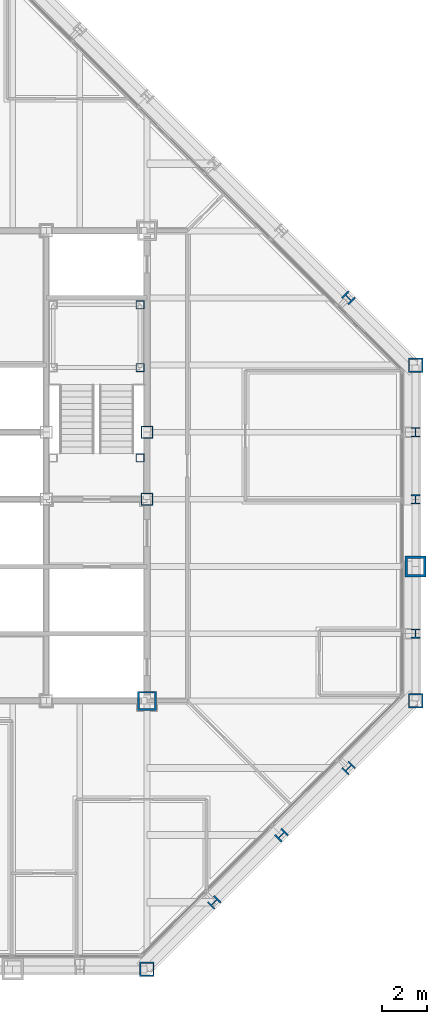
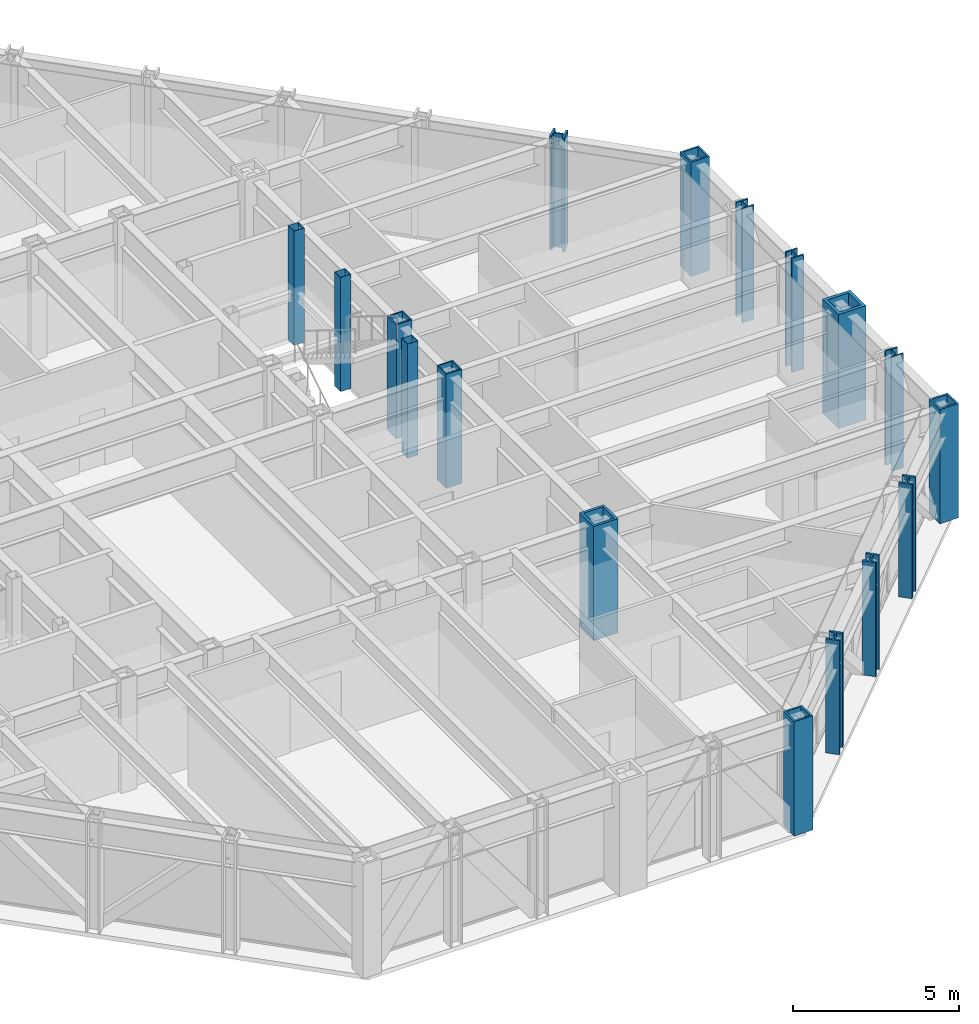
# One storey, part 3 of 16: 17 columns.
"""IFC4 building model written with IfcOpenShell, lengths in metres."""

from ifc_helpers import new_model, si_unit, direction, frame, origin, origin_2d, place, context, subcontext, project, spatial, hollow_rectangle, i_section, extrude, material, material_profile, profile_set, type_object, element, save


model = new_model("IFC4")

# Units and contexts
model_context = context("Model", 3, precision=1e-05, world=origin(), true_north=direction((0.0, 1.0)))
body_context = subcontext(model_context, "Body", "Model", "MODEL_VIEW")
ifc_project = project(units=[si_unit("LENGTHUNIT", "METRE"), si_unit("AREAUNIT", "SQUARE_METRE"), si_unit("VOLUMEUNIT", "CUBIC_METRE"), si_unit("PLANEANGLEUNIT", "RADIAN"), si_unit("MASSUNIT", "GRAM", prefix="KILO")], contexts=[model_context])

# Site, building, storey
site_placement = place(None, origin())
site = spatial("IfcSite", under=ifc_project, at=site_placement, CompositionType="ELEMENT")
building_placement = place(site_placement, origin())
building = spatial("IfcBuilding", under=site, at=building_placement, Name="Chuquiago Exchange Tower", CompositionType="ELEMENT")
storey_placement = place(building_placement, frame((0.0, 0.0, 239.10009765625)))
storey = spatial("IfcBuildingStorey", under=building, at=storey_placement, Name="L53", CompositionType="ELEMENT", Elevation=239.10009765625)

# Columns
ifc_material_1 = material(Name="Steel ASTM A992", Category="steel")
ifc_material_profile_1 = material_profile(ifc_material_1, i_section(OverallWidth=0.408935546875, OverallDepth=0.424072265625, WebThickness=0.03271484375, FlangeThickness=0.052490234375, at=origin_2d()), Name="W14X283")
ifc_profile_set_1 = profile_set([ifc_material_profile_1], Name="Steel ASTM A992")
column_type_1 = type_object("IfcColumnType", Name="C8 W14X283", PredefinedType="COLUMN", material=ifc_profile_set_1)
for number, where, z_axis, x_axis, name in (
    (1, (45.0, 15.0, 0.0), (0.0, 0.0, 1.0), (1.0, 0.0, 0.0), "COL-L53-45_15"),
    (2, (45.0, 21.0, 0.0), (0.0, 0.0, 1.0), (1.0, 0.0, 0.0), "COL-L53-45_21"),
    (3, (45.0, 24.0, 0.0), (0.0, 0.0, 1.0), (1.0, 0.0, 0.0), "COL-L53-45_24"),
):
    element("IfcColumn", number, at=place(storey_placement, frame(where, z_axis=z_axis, x_axis=x_axis)), inside=storey, type_object=column_type_1, Name=name, PredefinedType="COLUMN", context=body_context, shape_type="SweptSolid", body=[
        extrude(i_section(OverallWidth=0.408935546875, OverallDepth=0.424072265625, WebThickness=0.03271484375, FlangeThickness=0.052490234375, at=origin_2d()), origin(), (0.0, 0.0, 1.0), 4.199951171875),
    ])
ifc_material_2 = material(Name="Steel ASTM A572 Grade 50", Category="steel")
ifc_material_profile_2 = material_profile(ifc_material_2, hollow_rectangle(XDim=0.85009765625, YDim=0.85009765625, WallThickness=0.0849609375, at=origin_2d()), Name="BOX850X850X85")
ifc_profile_set_2 = profile_set([ifc_material_profile_2], Name="Steel ASTM A572 Grade 50")
column_type_2 = type_object("IfcColumnType", Name="CC6 BOX850X850X85", PredefinedType="COLUMN", material=ifc_profile_set_2)
column_1_placement = place(storey_placement, frame((33.0, 12.0, 0.0), z_axis=(0.0, 0.0, 1.0), x_axis=(1.0, 0.0, 0.0)))
element("IfcColumn", 4, at=column_1_placement, inside=storey, type_object=column_type_2, Name="CCOL-L53-33_12", PredefinedType="COLUMN", context=body_context, shape_type="SweptSolid", body=[
    extrude(hollow_rectangle(XDim=0.85009765625, YDim=0.85009765625, WallThickness=0.0849609375, at=origin_2d()), origin(), (0.0, 0.0, 1.0), 4.199951171875),
])
ifc_material_3 = material(Name="Steel ASTM A572 Grade 50", Category="steel")
ifc_material_profile_3 = material_profile(ifc_material_3, hollow_rectangle(XDim=0.550048828125, YDim=0.550048828125, WallThickness=0.044921875, at=origin_2d()), Name="BOX550X550X45")
ifc_profile_set_3 = profile_set([ifc_material_profile_3], Name="Steel ASTM A572 Grade 50")
column_type_3 = type_object("IfcColumnType", Name="CC8 BOX550X550X45", PredefinedType="COLUMN", material=ifc_profile_set_3)
for number, where, z_axis, x_axis, name in (
    (5, (33.0, 21.0, 0.0), (0.0, 0.0, 1.0), (1.0, 0.0, 0.0), "CCOL-L53-33_21"),
    (6, (33.0, 24.0, 0.0), (0.0, 0.0, 1.0), (1.0, 0.0, 0.0), "CCOL-L53-33_24"),
):
    element("IfcColumn", number, at=place(storey_placement, frame(where, z_axis=z_axis, x_axis=x_axis)), inside=storey, type_object=column_type_3, Name=name, PredefinedType="COLUMN", context=body_context, shape_type="SweptSolid", body=[
        extrude(hollow_rectangle(XDim=0.550048828125, YDim=0.550048828125, WallThickness=0.044921875, at=origin_2d()), origin(), (0.0, 0.0, 1.0), 4.199951171875),
    ])
ifc_material_4 = material(Name="Steel ASTM A992", Category="steel")
ifc_material_profile_4 = material_profile(ifc_material_4, i_section(OverallWidth=0.421630859375, OverallDepth=0.46484375, WebThickness=0.044921875, FlangeThickness=0.072509765625, at=origin_2d()), Name="W14X398")
ifc_profile_set_4 = profile_set([ifc_material_profile_4], Name="Steel ASTM A992")
column_type_4 = type_object("IfcColumnType", Name="CK7 W14X398", PredefinedType="COLUMN", material=ifc_profile_set_4)
for number, where, z_axis, x_axis, name in (
    (7, (36.0, 3.0, 0.0), (0.0, 0.0, 1.0), (0.707106781187, -0.707106781187, 0.0), "COL-L53-36_3"),
    (8, (39.0, 6.0, 0.0), (0.0, 0.0, 1.0), (0.707106781187, -0.707106781187, 0.0), "COL-L53-39_6"),
    (9, (42.0, 9.0, 0.0), (0.0, 0.0, 1.0), (0.707106781187, -0.707106781187, 0.0), "COL-L53-42_9"),
    (10, (42.0, 30.0, 0.0), (0.0, 0.0, 1.0), (0.707106781187, 0.707106781187, 0.0), "COL-L53-42_30"),
):
    element("IfcColumn", number, at=place(storey_placement, frame(where, z_axis=z_axis, x_axis=x_axis)), inside=storey, type_object=column_type_4, Name=name, PredefinedType="COLUMN", context=body_context, shape_type="SweptSolid", body=[
        extrude(i_section(OverallWidth=0.421630859375, OverallDepth=0.46484375, WebThickness=0.044921875, FlangeThickness=0.072509765625, at=origin_2d()), origin(), (0.0, 0.0, 1.0), 4.199951171875),
    ])
ifc_material_5 = material(Name="Steel ASTM A572 Grade 50", Category="steel")
ifc_material_profile_5 = material_profile(ifc_material_5, hollow_rectangle(XDim=0.64990234375, YDim=0.64990234375, WallThickness=0.06494140625, at=origin_2d()), Name="BOX650X650X65")
ifc_profile_set_5 = profile_set([ifc_material_profile_5], Name="Steel ASTM A572 Grade 50")
column_type_5 = type_object("IfcColumnType", Name="CN2 BOX650X650X65", PredefinedType="COLUMN", material=ifc_profile_set_5)
for number, where, z_axis, x_axis, name in (
    (11, (33.0, 0.0, 0.0), (0.0, 0.0, 1.0), (0.0, -1.0, 0.0), "COL-L53-33_0"),
    (12, (45.0, 12.0, 0.0), (0.0, 0.0, 1.0), (1.0, 0.0, 0.0), "COL-L53-45_12"),
    (13, (45.0, 27.0, 0.0), (0.0, 0.0, 1.0), (1.0, 0.0, 0.0), "COL-L53-45_27"),
):
    element("IfcColumn", number, at=place(storey_placement, frame(where, z_axis=z_axis, x_axis=x_axis)), inside=storey, type_object=column_type_5, Name=name, PredefinedType="COLUMN", context=body_context, shape_type="SweptSolid", body=[
        extrude(hollow_rectangle(XDim=0.64990234375, YDim=0.64990234375, WallThickness=0.06494140625, at=origin_2d()), origin(), (0.0, 0.0, 1.0), 4.199951171875),
    ])
ifc_material_6 = material(Name="Steel ASTM A572 Grade 42", Category="steel")
ifc_material_profile_6 = material_profile(ifc_material_6, hollow_rectangle(XDim=0.949951171875, YDim=0.949951171875, WallThickness=0.110107421875, at=origin_2d()), Name="BOX950X950X110")
ifc_profile_set_6 = profile_set([ifc_material_profile_6], Name="Steel ASTM A572 Grade 42")
column_type_6 = type_object("IfcColumnType", Name="CT1 BOX950X950X110", PredefinedType="COLUMN", material=ifc_profile_set_6)
column_2_placement = place(storey_placement, frame((45.0, 18.0, 0.0), z_axis=(0.0, 0.0, 1.0), x_axis=(1.0, 0.0, 0.0)))
element("IfcColumn", 14, at=column_2_placement, inside=storey, type_object=column_type_6, Name="COL-L53-45_18", PredefinedType="COLUMN", context=body_context, shape_type="SweptSolid", body=[
    extrude(hollow_rectangle(XDim=0.949951171875, YDim=0.949951171875, WallThickness=0.110107421875, at=origin_2d()), origin(), (0.0, 0.0, 1.0), 4.199951171875),
])
ifc_material_7 = material(Name="Steel ASTM A500 Grade C", Category="steel")
ifc_material_profile_7 = material_profile(ifc_material_7, hollow_rectangle(XDim=0.355712890625, YDim=0.355712890625, WallThickness=0.0087890625, at=origin_2d()), Name="HSS14X14X3/8")
ifc_profile_set_7 = profile_set([ifc_material_profile_7], Name="Steel ASTM A500 Grade C")
column_type_7 = type_object("IfcColumnType", Name="PT1 HSS14X14X3/8", PredefinedType="COLUMN", material=ifc_profile_set_7)
for number, where, z_axis, x_axis, name in (
    (15, (32.68994140625, 29.68994140625, 0.0), (0.0, 0.0, 1.0), (1.0, 0.0, 0.0), "Stair ST2 L53 landing post"),
    (16, (32.68994140625, 26.889892578125, 0.0), (0.0, 0.0, 1.0), (1.0, 0.0, 0.0), "Stair ST2 L53 landing post"),
    (17, (32.68994140625, 22.85009765625, 0.0), (0.0, 0.0, 1.0), (1.0, 0.0, 0.0), "Stair ST2 L53 landing post"),
):
    element("IfcColumn", number, at=place(storey_placement, frame(where, z_axis=z_axis, x_axis=x_axis)), inside=storey, type_object=column_type_7, Name=name, PredefinedType="COLUMN", context=body_context, shape_type="SweptSolid", body=[
        extrude(hollow_rectangle(XDim=0.355712890625, YDim=0.355712890625, WallThickness=0.0087890625, at=origin_2d()), origin(), (0.0, 0.0, 1.0), 4.199951171875),
    ])

save(model, "model.ifc")
